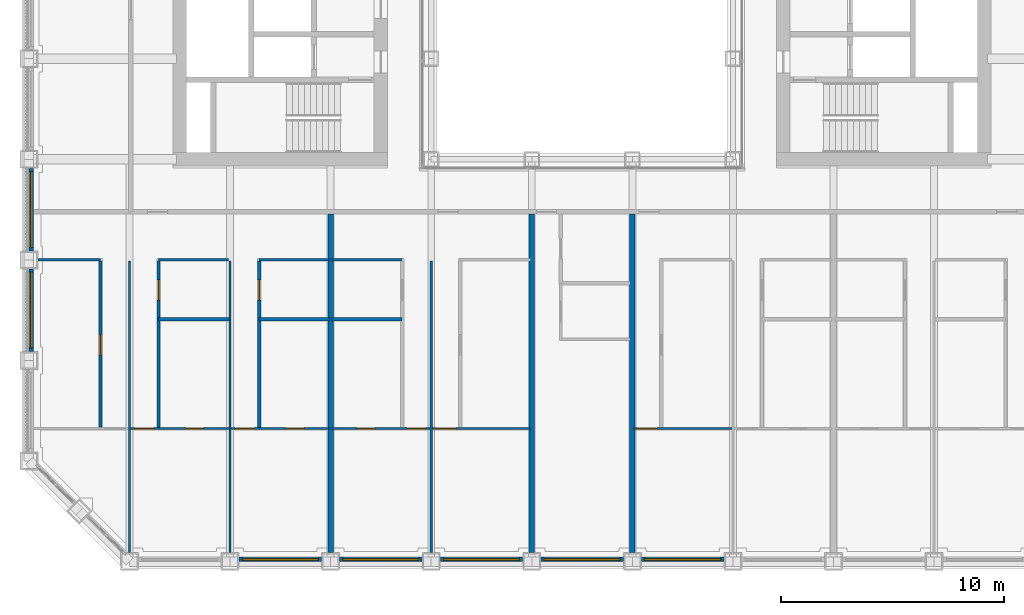
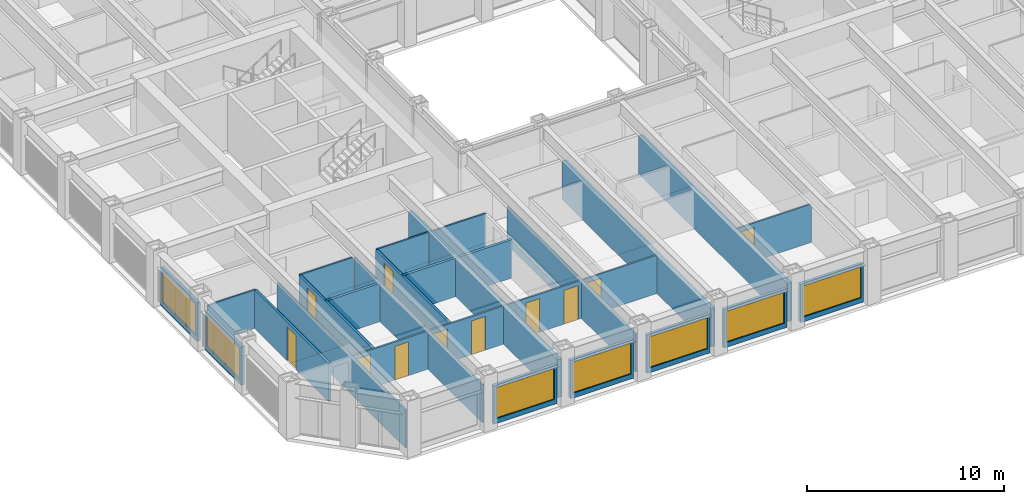
# One storey, part 9 of 20: 28 walls, 11 doors, 7 windows, 18 openings.
"""IFC4 building model written with IfcOpenShell, lengths in metres."""

from ifc_helpers import new_model, si_unit, direction, frame, frame_2d, origin, place, context, subcontext, project, spatial, rectangle, extrude, material, layer, layer_set, type_object, element, fill, save


model = new_model("IFC4")

# Units and contexts
model_context = context("Model", 3, precision=1e-05, world=origin(), true_north=direction((0.0, 1.0)))
body_context = subcontext(model_context, "Body", "Model", "MODEL_VIEW")
ifc_project = project(units=[si_unit("LENGTHUNIT", "METRE"), si_unit("AREAUNIT", "SQUARE_METRE"), si_unit("VOLUMEUNIT", "CUBIC_METRE"), si_unit("PLANEANGLEUNIT", "RADIAN"), si_unit("MASSUNIT", "GRAM", prefix="KILO")], contexts=[model_context])

# Site, building, storey
site_placement = place(None, origin())
site = spatial("IfcSite", under=ifc_project, at=site_placement, CompositionType="ELEMENT")
building_placement = place(site_placement, origin())
building = spatial("IfcBuilding", under=site, at=building_placement, Name="Msasa Ring Tower", CompositionType="ELEMENT")
storey_placement = place(building_placement, frame((0.0, 0.0, 58.0)))
storey = spatial("IfcBuildingStorey", under=building, at=storey_placement, Name="L14", CompositionType="ELEMENT", Elevation=58.0)

# Wall, opening, window
ifc_material_1 = material(Name="Terracotta rainscreen on blockwork", Category="masonry")
ifc_layer_1 = layer(ifc_material_1, 0.199951171875)
ifc_layer_set_1 = layer_set([ifc_layer_1], Name="FW1 TERRACOTTA-LINED INFILL BAY WALL 200")
wall_type_1 = type_object("IfcWallType", Name="FW1 TERRACOTTA-LINED INFILL BAY WALL 200", PredefinedType="SOLIDWALL", material=ifc_layer_set_1)
wall_1_placement = place(storey_placement, frame((-15.344970703125, -24.64990234375, 0.0), z_axis=(0.0, 0.0, 1.0), x_axis=(1.0, 0.0, 0.0)))
wall_1 = element("IfcWall", 1, at=wall_1_placement, inside=storey, type_object=wall_type_1, Name="Infill bay wall S L14 01", PredefinedType="SOLIDWALL", context=body_context, shape_type="SweptSolid", body=[
    extrude(rectangle(XDim=3.68994140625, YDim=0.199951171875, at=frame_2d((1.844970703125, 0.0))), origin(), (0.0, 0.0, 1.0), 2.37890625),
])
opening_1_placement = place(wall_1_placement, frame((0.14501953125, 0.0, 0.300048828125)))
opening_1 = element("IfcOpeningElement", 2, at=opening_1_placement, cuts=wall_1, Name="Opening WN1", PredefinedType="OPENING", context=body_context, shape_type="SweptSolid", body=[
    extrude(rectangle(XDim=3.39990234375, YDim=1.928955078125, at=frame_2d((1.699951171875, 0.96435546875))), frame((0.0, 0.10986328125, 0.0), z_axis=(0.0, -1.0, 0.0), x_axis=(1.0, 0.0, 0.0)), (0.0, 0.0, 1.0), 0.219970703125),
])
ifc_material_2 = material(Name="Aluminium frame with clear glass", Category="aluminium")
window_type = type_object("IfcWindowType", Name="WN1 RESIDENCE WINDOW 3400x1929", PartitioningType="SINGLE_PANEL", PredefinedType="WINDOW", material=ifc_material_2)
window_1_placement = place(opening_1_placement, origin())
window_1 = element("IfcWindow", 3, at=window_1_placement, inside=storey, type_object=window_type, Name="Window S L14 01", OverallHeight=1.928955078125, OverallWidth=3.39990234375, PartitioningType="SINGLE_PANEL", PredefinedType="WINDOW", context=body_context, shape_type="SweptSolid", body=[
    extrude(rectangle(XDim=3.39990234375, YDim=1.928955078125, at=frame_2d((1.699951171875, 0.96435546875))), frame((0.0, 0.030029296875, 0.0), z_axis=(0.0, -1.0, 0.0), x_axis=(1.0, 0.0, 0.0)), (0.0, 0.0, 1.0), 0.06005859375),
])
fill(opening_1, window_1)

wall_2_placement = place(storey_placement, frame((-10.844970703125, -24.64990234375, 0.0), z_axis=(0.0, 0.0, 1.0), x_axis=(1.0, 0.0, 0.0)))
wall_2 = element("IfcWall", 4, at=wall_2_placement, inside=storey, type_object=wall_type_1, Name="Infill bay wall S L14 02", PredefinedType="SOLIDWALL", context=body_context, shape_type="SweptSolid", body=[
    extrude(rectangle(XDim=3.68994140625, YDim=0.199951171875, at=frame_2d((1.844970703125, 0.0))), origin(), (0.0, 0.0, 1.0), 2.37890625),
])
opening_2_placement = place(wall_2_placement, frame((0.14501953125, 0.0, 0.300048828125)))
opening_2 = element("IfcOpeningElement", 5, at=opening_2_placement, cuts=wall_2, Name="Opening WN1", PredefinedType="OPENING", context=body_context, shape_type="SweptSolid", body=[
    extrude(rectangle(XDim=3.39990234375, YDim=1.928955078125, at=frame_2d((1.699951171875, 0.96435546875))), frame((0.0, 0.10986328125, 0.0), z_axis=(0.0, -1.0, 0.0), x_axis=(1.0, 0.0, 0.0)), (0.0, 0.0, 1.0), 0.219970703125),
])
window_2_placement = place(opening_2_placement, origin())
window_2 = element("IfcWindow", 6, at=window_2_placement, inside=storey, type_object=window_type, Name="Window S L14 02", OverallHeight=1.928955078125, OverallWidth=3.39990234375, PartitioningType="SINGLE_PANEL", PredefinedType="WINDOW", context=body_context, shape_type="SweptSolid", body=[
    extrude(rectangle(XDim=3.39990234375, YDim=1.928955078125, at=frame_2d((1.699951171875, 0.96435546875))), frame((0.0, 0.030029296875, 0.0), z_axis=(0.0, -1.0, 0.0), x_axis=(1.0, 0.0, 0.0)), (0.0, 0.0, 1.0), 0.06005859375),
])
fill(opening_2, window_2)

wall_3_placement = place(storey_placement, frame((-6.344970703125, -24.64990234375, 0.0), z_axis=(0.0, 0.0, 1.0), x_axis=(1.0, 0.0, 0.0)))
wall_3 = element("IfcWall", 7, at=wall_3_placement, inside=storey, type_object=wall_type_1, Name="Infill bay wall S L14 03", PredefinedType="SOLIDWALL", context=body_context, shape_type="SweptSolid", body=[
    extrude(rectangle(XDim=3.68994140625, YDim=0.199951171875, at=frame_2d((1.844970703125, 0.0))), origin(), (0.0, 0.0, 1.0), 2.37890625),
])
opening_3_placement = place(wall_3_placement, frame((0.14501953125, 0.0, 0.300048828125)))
opening_3 = element("IfcOpeningElement", 8, at=opening_3_placement, cuts=wall_3, Name="Opening WN1", PredefinedType="OPENING", context=body_context, shape_type="SweptSolid", body=[
    extrude(rectangle(XDim=3.39990234375, YDim=1.928955078125, at=frame_2d((1.699951171875, 0.96435546875))), frame((0.0, 0.10986328125, 0.0), z_axis=(0.0, -1.0, 0.0), x_axis=(1.0, 0.0, 0.0)), (0.0, 0.0, 1.0), 0.219970703125),
])
window_3_placement = place(opening_3_placement, origin())
window_3 = element("IfcWindow", 9, at=window_3_placement, inside=storey, type_object=window_type, Name="Window S L14 03", OverallHeight=1.928955078125, OverallWidth=3.39990234375, PartitioningType="SINGLE_PANEL", PredefinedType="WINDOW", context=body_context, shape_type="SweptSolid", body=[
    extrude(rectangle(XDim=3.39990234375, YDim=1.928955078125, at=frame_2d((1.699951171875, 0.96435546875))), frame((0.0, 0.030029296875, 0.0), z_axis=(0.0, -1.0, 0.0), x_axis=(1.0, 0.0, 0.0)), (0.0, 0.0, 1.0), 0.06005859375),
])
fill(opening_3, window_3)

wall_4_placement = place(storey_placement, frame((-1.844970703125, -24.64990234375, 0.0), z_axis=(0.0, 0.0, 1.0), x_axis=(1.0, 0.0, 0.0)))
wall_4 = element("IfcWall", 10, at=wall_4_placement, inside=storey, type_object=wall_type_1, Name="Infill bay wall S L14 04", PredefinedType="SOLIDWALL", context=body_context, shape_type="SweptSolid", body=[
    extrude(rectangle(XDim=3.68994140625, YDim=0.199951171875, at=frame_2d((1.844970703125, 0.0))), origin(), (0.0, 0.0, 1.0), 2.37890625),
])
opening_4_placement = place(wall_4_placement, frame((0.14501953125, 0.0, 0.300048828125)))
opening_4 = element("IfcOpeningElement", 11, at=opening_4_placement, cuts=wall_4, Name="Opening WN1", PredefinedType="OPENING", context=body_context, shape_type="SweptSolid", body=[
    extrude(rectangle(XDim=3.39990234375, YDim=1.928955078125, at=frame_2d((1.699951171875, 0.96435546875))), frame((0.0, 0.10986328125, 0.0), z_axis=(0.0, -1.0, 0.0), x_axis=(1.0, 0.0, 0.0)), (0.0, 0.0, 1.0), 0.219970703125),
])
window_4_placement = place(opening_4_placement, origin())
window_4 = element("IfcWindow", 12, at=window_4_placement, inside=storey, type_object=window_type, Name="Window S L14 04", OverallHeight=1.928955078125, OverallWidth=3.39990234375, PartitioningType="SINGLE_PANEL", PredefinedType="WINDOW", context=body_context, shape_type="SweptSolid", body=[
    extrude(rectangle(XDim=3.39990234375, YDim=1.928955078125, at=frame_2d((1.699951171875, 0.96435546875))), frame((0.0, 0.030029296875, 0.0), z_axis=(0.0, -1.0, 0.0), x_axis=(1.0, 0.0, 0.0)), (0.0, 0.0, 1.0), 0.06005859375),
])
fill(opening_4, window_4)

wall_5_placement = place(storey_placement, frame((2.655029296875, -24.64990234375, 0.0), z_axis=(0.0, 0.0, 1.0), x_axis=(1.0, 0.0, 0.0)))
wall_5 = element("IfcWall", 13, at=wall_5_placement, inside=storey, type_object=wall_type_1, Name="Infill bay wall S L14 05", PredefinedType="SOLIDWALL", context=body_context, shape_type="SweptSolid", body=[
    extrude(rectangle(XDim=3.68994140625, YDim=0.199951171875, at=frame_2d((1.844970703125, 0.0))), origin(), (0.0, 0.0, 1.0), 2.37890625),
])
opening_5_placement = place(wall_5_placement, frame((0.14501953125, 0.0, 0.300048828125)))
opening_5 = element("IfcOpeningElement", 14, at=opening_5_placement, cuts=wall_5, Name="Opening WN1", PredefinedType="OPENING", context=body_context, shape_type="SweptSolid", body=[
    extrude(rectangle(XDim=3.39990234375, YDim=1.928955078125, at=frame_2d((1.699951171875, 0.96435546875))), frame((0.0, 0.10986328125, 0.0), z_axis=(0.0, -1.0, 0.0), x_axis=(1.0, 0.0, 0.0)), (0.0, 0.0, 1.0), 0.219970703125),
])
window_5_placement = place(opening_5_placement, origin())
window_5 = element("IfcWindow", 15, at=window_5_placement, inside=storey, type_object=window_type, Name="Window S L14 05", OverallHeight=1.928955078125, OverallWidth=3.39990234375, PartitioningType="SINGLE_PANEL", PredefinedType="WINDOW", context=body_context, shape_type="SweptSolid", body=[
    extrude(rectangle(XDim=3.39990234375, YDim=1.928955078125, at=frame_2d((1.699951171875, 0.96435546875))), frame((0.0, 0.030029296875, 0.0), z_axis=(0.0, -1.0, 0.0), x_axis=(1.0, 0.0, 0.0)), (0.0, 0.0, 1.0), 0.06005859375),
])
fill(opening_5, window_5)

wall_6_placement = place(storey_placement, frame((-24.64990234375, -15.344970703125, 0.0), z_axis=(0.0, 0.0, 1.0), x_axis=(0.0, 1.0, 0.0)))
wall_6 = element("IfcWall", 16, at=wall_6_placement, inside=storey, type_object=wall_type_1, Name="Infill bay wall W L14 34", PredefinedType="SOLIDWALL", context=body_context, shape_type="SweptSolid", body=[
    extrude(rectangle(XDim=3.68994140625, YDim=0.199951171875, at=frame_2d((1.844970703125, 0.0))), origin(), (0.0, 0.0, 1.0), 2.37890625),
])
opening_6_placement = place(wall_6_placement, frame((0.14501953125, 0.0, 0.300048828125)))
opening_6 = element("IfcOpeningElement", 17, at=opening_6_placement, cuts=wall_6, Name="Opening WN1", PredefinedType="OPENING", context=body_context, shape_type="SweptSolid", body=[
    extrude(rectangle(XDim=3.39990234375, YDim=1.928955078125, at=frame_2d((1.699951171875, 0.96435546875))), frame((0.0, 0.10986328125, 0.0), z_axis=(0.0, -1.0, 0.0), x_axis=(1.0, 0.0, 0.0)), (0.0, 0.0, 1.0), 0.219970703125),
])
window_6_placement = place(opening_6_placement, origin())
window_6 = element("IfcWindow", 18, at=window_6_placement, inside=storey, type_object=window_type, Name="Window W L14 34", OverallHeight=1.928955078125, OverallWidth=3.39990234375, PartitioningType="SINGLE_PANEL", PredefinedType="WINDOW", context=body_context, shape_type="SweptSolid", body=[
    extrude(rectangle(XDim=3.39990234375, YDim=1.928955078125, at=frame_2d((1.699951171875, 0.96435546875))), frame((0.0, 0.030029296875, 0.0), z_axis=(0.0, -1.0, 0.0), x_axis=(1.0, 0.0, 0.0)), (0.0, 0.0, 1.0), 0.06005859375),
])
fill(opening_6, window_6)

wall_7_placement = place(storey_placement, frame((-24.64990234375, -10.844970703125, 0.0), z_axis=(0.0, 0.0, 1.0), x_axis=(0.0, 1.0, 0.0)))
wall_7 = element("IfcWall", 19, at=wall_7_placement, inside=storey, type_object=wall_type_1, Name="Infill bay wall W L14 35", PredefinedType="SOLIDWALL", context=body_context, shape_type="SweptSolid", body=[
    extrude(rectangle(XDim=3.68994140625, YDim=0.199951171875, at=frame_2d((1.844970703125, 0.0))), origin(), (0.0, 0.0, 1.0), 2.37890625),
])
opening_7_placement = place(wall_7_placement, frame((0.14501953125, 0.0, 0.300048828125)))
opening_7 = element("IfcOpeningElement", 20, at=opening_7_placement, cuts=wall_7, Name="Opening WN1", PredefinedType="OPENING", context=body_context, shape_type="SweptSolid", body=[
    extrude(rectangle(XDim=3.39990234375, YDim=1.928955078125, at=frame_2d((1.699951171875, 0.96435546875))), frame((0.0, 0.10986328125, 0.0), z_axis=(0.0, -1.0, 0.0), x_axis=(1.0, 0.0, 0.0)), (0.0, 0.0, 1.0), 0.219970703125),
])
window_7_placement = place(opening_7_placement, origin())
window_7 = element("IfcWindow", 21, at=window_7_placement, inside=storey, type_object=window_type, Name="Window W L14 35", OverallHeight=1.928955078125, OverallWidth=3.39990234375, PartitioningType="SINGLE_PANEL", PredefinedType="WINDOW", context=body_context, shape_type="SweptSolid", body=[
    extrude(rectangle(XDim=3.39990234375, YDim=1.928955078125, at=frame_2d((1.699951171875, 0.96435546875))), frame((0.0, 0.030029296875, 0.0), z_axis=(0.0, -1.0, 0.0), x_axis=(1.0, 0.0, 0.0)), (0.0, 0.0, 1.0), 0.06005859375),
])
fill(opening_7, window_7)

# Walls
ifc_material_3 = material(Name="Gypsum board on steel studs", Category="steel")
ifc_layer_2 = layer(ifc_material_3, 0.10009765625)
ifc_layer_set_2 = layer_set([ifc_layer_2], Name="PT2 STUD PARTITION 100")
wall_type_2 = type_object("IfcWallType", Name="PT2 STUD PARTITION 100", PredefinedType="PARTITIONING", material=ifc_layer_set_2)
wall_8_placement = place(storey_placement, frame((-24.35009765625, -11.25, 0.0), z_axis=(0.0, 0.0, 1.0), x_axis=(1.0, 0.0, 0.0)))
element("IfcWall", 22, at=wall_8_placement, inside=storey, type_object=wall_type_2, Name="Partition L14-US00HY0", PredefinedType="PARTITIONING", context=body_context, shape_type="SweptSolid", body=[
    extrude(rectangle(XDim=2.800048828125, YDim=0.10009765625, at=frame_2d((1.39990234375, 0.0))), origin(), (0.0, 0.0, 1.0), 2.373291015625),
])
wall_9_placement = place(storey_placement, frame((-20.25, -24.35009765625, 0.0), z_axis=(0.0, 0.0, 1.0), x_axis=(0.0, 1.0, 0.0)))
element("IfcWall", 23, at=wall_9_placement, inside=storey, type_object=wall_type_2, Name="Partition L14-US00P1", PredefinedType="PARTITIONING", context=body_context, shape_type="SweptSolid", body=[
    extrude(rectangle(XDim=13.050048828125, YDim=0.10009765625, at=frame_2d((6.52490234375, 0.0))), origin(), (0.0, 0.0, 1.0), 2.373291015625),
])
wall_10_placement = place(storey_placement, frame((-18.949951171875, -11.25, 0.0), z_axis=(0.0, 0.0, 1.0), x_axis=(1.0, 0.0, 0.0)))
element("IfcWall", 24, at=wall_10_placement, inside=storey, type_object=wall_type_2, Name="Partition L14-US00HY1", PredefinedType="PARTITIONING", context=body_context, shape_type="SweptSolid", body=[
    extrude(rectangle(XDim=3.139892578125, YDim=0.10009765625, at=frame_2d((1.56982421875, 0.0))), origin(), (0.0, 0.0, 1.0), 2.373291015625),
])

# Wall, openings, doors
wall_11_placement = place(storey_placement, frame((-20.199951171875, -18.800048828125, 0.0), z_axis=(0.0, 0.0, 1.0), x_axis=(1.0, 0.0, 0.0)))
wall_11 = element("IfcWall", 25, at=wall_11_placement, inside=storey, type_object=wall_type_2, Name="Partition L14-US00SY1", PredefinedType="PARTITIONING", context=body_context, shape_type="SweptSolid", body=[
    extrude(rectangle(XDim=4.39990234375, YDim=0.10009765625, at=frame_2d((2.199951171875, 0.0))), origin(), (0.0, 0.0, 1.0), 2.373291015625),
])
opening_8_placement = place(wall_11_placement, frame((0.175048828125, 0.0, 0.0)))
opening_8 = element("IfcOpeningElement", 26, at=opening_8_placement, cuts=wall_11, Name="Opening RD-065", PredefinedType="OPENING", context=body_context, shape_type="SweptSolid", body=[
    extrude(rectangle(XDim=0.85009765625, YDim=2.10009765625, at=frame_2d((0.425048828125, 1.050048828125))), frame((0.0, 0.06005859375, 0.0), z_axis=(0.0, -1.0, 0.0), x_axis=(1.0, 0.0, 0.0)), (0.0, 0.0, 1.0), 0.1201171875),
])
opening_9_placement = place(wall_11_placement, frame((2.4599609375, 0.0, 0.0)))
opening_9 = element("IfcOpeningElement", 27, at=opening_9_placement, cuts=wall_11, Name="Opening RD-066", PredefinedType="OPENING", context=body_context, shape_type="SweptSolid", body=[
    extrude(rectangle(XDim=0.800048828125, YDim=2.10009765625, at=frame_2d((0.39990234375, 1.050048828125))), frame((0.0, 0.06005859375, 0.0), z_axis=(0.0, -1.0, 0.0), x_axis=(1.0, 0.0, 0.0)), (0.0, 0.0, 1.0), 0.1201171875),
])
ifc_material_4 = material(Name="Timber door leaf in a steel frame", Category="steel")
door_type_1 = type_object("IfcDoorType", Name="D14 BEDROOM DOOR 850x2100", OperationType="SINGLE_SWING_LEFT", PredefinedType="DOOR", material=ifc_material_4)
door_1_placement = place(opening_8_placement, origin())
door_1 = element("IfcDoor", 28, at=door_1_placement, inside=storey, type_object=door_type_1, Name="Door L14-US00R1", OperationType="SINGLE_SWING_LEFT", OverallHeight=2.10009765625, OverallWidth=0.85009765625, PredefinedType="DOOR", context=body_context, shape_type="SweptSolid", body=[
    extrude(rectangle(XDim=0.85009765625, YDim=2.10009765625, at=frame_2d((0.425048828125, 1.050048828125))), frame((0.0, 0.02490234375, 0.0), z_axis=(0.0, -1.0, 0.0), x_axis=(1.0, 0.0, 0.0)), (0.0, 0.0, 1.0), 0.050048828125),
])
fill(opening_8, door_1)
ifc_material_5 = material(Name="Timber door leaf in a steel frame", Category="steel")
door_type_2 = type_object("IfcDoorType", Name="D60 DRESSING ROOM DOOR 800x2100", OperationType="SINGLE_SWING_LEFT", PredefinedType="DOOR", material=ifc_material_5)
door_2_placement = place(opening_9_placement, origin())
door_2 = element("IfcDoor", 29, at=door_2_placement, inside=storey, type_object=door_type_2, Name="Door L14-US00W1", OperationType="SINGLE_SWING_RIGHT", OverallHeight=2.10009765625, OverallWidth=0.800048828125, PredefinedType="DOOR", context=body_context, shape_type="SweptSolid", body=[
    extrude(rectangle(XDim=0.800048828125, YDim=2.10009765625, at=frame_2d((0.39990234375, 1.050048828125))), frame((0.0, 0.02490234375, 0.0), z_axis=(0.0, -1.0, 0.0), x_axis=(1.0, 0.0, 0.0)), (0.0, 0.0, 1.0), 0.050048828125),
])
fill(opening_9, door_2)

# Walls
wall_12_placement = place(storey_placement, frame((-15.75, -24.35009765625, 0.0), z_axis=(0.0, 0.0, 1.0), x_axis=(0.0, 1.0, 0.0)))
element("IfcWall", 30, at=wall_12_placement, inside=storey, type_object=wall_type_2, Name="Partition L14-US00P2", PredefinedType="PARTITIONING", context=body_context, shape_type="SweptSolid", body=[
    extrude(rectangle(XDim=13.050048828125, YDim=0.10009765625, at=frame_2d((6.52490234375, 0.0))), origin(), (0.0, 0.0, 1.0), 2.373291015625),
])
wall_13_placement = place(storey_placement, frame((-14.449951171875, -11.25, 0.0), z_axis=(0.0, 0.0, 1.0), x_axis=(1.0, 0.0, 0.0)))
element("IfcWall", 31, at=wall_13_placement, inside=storey, type_object=wall_type_2, Name="Partition L14-US00HY2", PredefinedType="PARTITIONING", context=body_context, shape_type="SweptSolid", body=[
    extrude(rectangle(XDim=3.139892578125, YDim=0.10009765625, at=frame_2d((1.56982421875, 0.0))), origin(), (0.0, 0.0, 1.0), 2.373291015625),
])

# Wall, openings, doors
wall_14_placement = place(storey_placement, frame((-15.699951171875, -18.800048828125, 0.0), z_axis=(0.0, 0.0, 1.0), x_axis=(1.0, 0.0, 0.0)))
wall_14 = element("IfcWall", 32, at=wall_14_placement, inside=storey, type_object=wall_type_2, Name="Partition L14-US00SY2", PredefinedType="PARTITIONING", context=body_context, shape_type="SweptSolid", body=[
    extrude(rectangle(XDim=4.389892578125, YDim=0.10009765625, at=frame_2d((2.19482421875, 0.0))), origin(), (0.0, 0.0, 1.0), 2.373291015625),
])
opening_10_placement = place(wall_14_placement, frame((0.175048828125, 0.0, 0.0)))
opening_10 = element("IfcOpeningElement", 33, at=opening_10_placement, cuts=wall_14, Name="Opening RD-067", PredefinedType="OPENING", context=body_context, shape_type="SweptSolid", body=[
    extrude(rectangle(XDim=0.85009765625, YDim=2.10009765625, at=frame_2d((0.425048828125, 1.050048828125))), frame((0.0, 0.06005859375, 0.0), z_axis=(0.0, -1.0, 0.0), x_axis=(1.0, 0.0, 0.0)), (0.0, 0.0, 1.0), 0.1201171875),
])
opening_11_placement = place(wall_14_placement, frame((2.4599609375, 0.0, 0.0)))
opening_11 = element("IfcOpeningElement", 34, at=opening_11_placement, cuts=wall_14, Name="Opening RD-068", PredefinedType="OPENING", context=body_context, shape_type="SweptSolid", body=[
    extrude(rectangle(XDim=0.800048828125, YDim=2.10009765625, at=frame_2d((0.39990234375, 1.050048828125))), frame((0.0, 0.06005859375, 0.0), z_axis=(0.0, -1.0, 0.0), x_axis=(1.0, 0.0, 0.0)), (0.0, 0.0, 1.0), 0.1201171875),
])
door_3_placement = place(opening_10_placement, origin())
door_3 = element("IfcDoor", 35, at=door_3_placement, inside=storey, type_object=door_type_1, Name="Door L14-US00R2", OperationType="SINGLE_SWING_LEFT", OverallHeight=2.10009765625, OverallWidth=0.85009765625, PredefinedType="DOOR", context=body_context, shape_type="SweptSolid", body=[
    extrude(rectangle(XDim=0.85009765625, YDim=2.10009765625, at=frame_2d((0.425048828125, 1.050048828125))), frame((0.0, 0.02490234375, 0.0), z_axis=(0.0, -1.0, 0.0), x_axis=(1.0, 0.0, 0.0)), (0.0, 0.0, 1.0), 0.050048828125),
])
fill(opening_10, door_3)
door_4_placement = place(opening_11_placement, origin())
door_4 = element("IfcDoor", 36, at=door_4_placement, inside=storey, type_object=door_type_2, Name="Door L14-US00W2", OperationType="SINGLE_SWING_RIGHT", OverallHeight=2.10009765625, OverallWidth=0.800048828125, PredefinedType="DOOR", context=body_context, shape_type="SweptSolid", body=[
    extrude(rectangle(XDim=0.800048828125, YDim=2.10009765625, at=frame_2d((0.39990234375, 1.050048828125))), frame((0.0, 0.02490234375, 0.0), z_axis=(0.0, -1.0, 0.0), x_axis=(1.0, 0.0, 0.0)), (0.0, 0.0, 1.0), 0.050048828125),
])
fill(opening_11, door_4)

# Wall, opening, door
wall_15_placement = place(storey_placement, frame((-6.699951171875, -18.800048828125, 0.0), z_axis=(0.0, 0.0, 1.0), x_axis=(1.0, 0.0, 0.0)))
wall_15 = element("IfcWall", 37, at=wall_15_placement, inside=storey, type_object=wall_type_2, Name="Partition L14-US01SY0", PredefinedType="PARTITIONING", context=body_context, shape_type="SweptSolid", body=[
    extrude(rectangle(XDim=4.389892578125, YDim=0.10009765625, at=frame_2d((2.19482421875, 0.0))), origin(), (0.0, 0.0, 1.0), 2.373291015625),
])
opening_12_placement = place(wall_15_placement, frame((0.14990234375, 0.0, 0.0)))
opening_12 = element("IfcOpeningElement", 38, at=opening_12_placement, cuts=wall_15, Name="Opening RD-071", PredefinedType="OPENING", context=body_context, shape_type="SweptSolid", body=[
    extrude(rectangle(XDim=0.89990234375, YDim=2.10009765625, at=frame_2d((0.449951171875, 1.050048828125))), frame((0.0, 0.06005859375, 0.0), z_axis=(0.0, -1.0, 0.0), x_axis=(1.0, 0.0, 0.0)), (0.0, 0.0, 1.0), 0.1201171875),
])
ifc_material_6 = material(Name="Timber door leaf in a steel frame", Category="steel")
door_type_3 = type_object("IfcDoorType", Name="D22 INTERNAL HALL DOOR 900x2100", OperationType="SINGLE_SWING_LEFT", PredefinedType="DOOR", material=ifc_material_6)
door_5_placement = place(opening_12_placement, origin())
door_5 = element("IfcDoor", 39, at=door_5_placement, inside=storey, type_object=door_type_3, Name="Door L14-US01L", OperationType="SINGLE_SWING_LEFT", OverallHeight=2.10009765625, OverallWidth=0.89990234375, PredefinedType="DOOR", context=body_context, shape_type="SweptSolid", body=[
    extrude(rectangle(XDim=0.89990234375, YDim=2.10009765625, at=frame_2d((0.449951171875, 1.050048828125))), frame((0.0, 0.02490234375, 0.0), z_axis=(0.0, -1.0, 0.0), x_axis=(1.0, 0.0, 0.0)), (0.0, 0.0, 1.0), 0.050048828125),
])
fill(opening_12, door_5)

# Walls
wall_16_placement = place(storey_placement, frame((-6.75, -24.35009765625, 0.0), z_axis=(0.0, 0.0, 1.0), x_axis=(0.0, 1.0, 0.0)))
element("IfcWall", 40, at=wall_16_placement, inside=storey, type_object=wall_type_2, Name="Partition L14-US01P1", PredefinedType="PARTITIONING", context=body_context, shape_type="SweptSolid", body=[
    extrude(rectangle(XDim=13.050048828125, YDim=0.10009765625, at=frame_2d((6.52490234375, 0.0))), origin(), (0.0, 0.0, 1.0), 2.373291015625),
])
wall_17_placement = place(storey_placement, frame((-11.18994140625, -11.25, 0.0), z_axis=(0.0, 0.0, 1.0), x_axis=(1.0, 0.0, 0.0)))
element("IfcWall", 41, at=wall_17_placement, inside=storey, type_object=wall_type_2, Name="Partition L14-US01HY1", PredefinedType="PARTITIONING", context=body_context, shape_type="SweptSolid", body=[
    extrude(rectangle(XDim=3.139892578125, YDim=0.10009765625, at=frame_2d((1.56982421875, 0.0))), origin(), (0.0, 0.0, 1.0), 2.373291015625),
])

# Wall, openings, doors
wall_18_placement = place(storey_placement, frame((-11.18994140625, -18.800048828125, 0.0), z_axis=(0.0, 0.0, 1.0), x_axis=(1.0, 0.0, 0.0)))
wall_18 = element("IfcWall", 42, at=wall_18_placement, inside=storey, type_object=wall_type_2, Name="Partition L14-US01SY1", PredefinedType="PARTITIONING", context=body_context, shape_type="SweptSolid", body=[
    extrude(rectangle(XDim=4.389892578125, YDim=0.10009765625, at=frame_2d((2.19482421875, 0.0))), origin(), (0.0, 0.0, 1.0), 2.373291015625),
])
opening_13_placement = place(wall_18_placement, frame((3.364990234375, 0.0, 0.0)))
opening_13 = element("IfcOpeningElement", 43, at=opening_13_placement, cuts=wall_18, Name="Opening RD-070", PredefinedType="OPENING", context=body_context, shape_type="SweptSolid", body=[
    extrude(rectangle(XDim=0.85009765625, YDim=2.10009765625, at=frame_2d((0.425048828125, 1.050048828125))), frame((0.0, 0.06005859375, 0.0), z_axis=(0.0, -1.0, 0.0), x_axis=(1.0, 0.0, 0.0)), (0.0, 0.0, 1.0), 0.1201171875),
])
opening_14_placement = place(wall_18_placement, frame((1.1298828125, 0.0, 0.0)))
opening_14 = element("IfcOpeningElement", 44, at=opening_14_placement, cuts=wall_18, Name="Opening RD-069", PredefinedType="OPENING", context=body_context, shape_type="SweptSolid", body=[
    extrude(rectangle(XDim=0.800048828125, YDim=2.10009765625, at=frame_2d((0.39990234375, 1.050048828125))), frame((0.0, 0.06005859375, 0.0), z_axis=(0.0, -1.0, 0.0), x_axis=(1.0, 0.0, 0.0)), (0.0, 0.0, 1.0), 0.1201171875),
])
door_6_placement = place(opening_13_placement, origin())
door_6 = element("IfcDoor", 45, at=door_6_placement, inside=storey, type_object=door_type_1, Name="Door L14-US01R1", OperationType="SINGLE_SWING_RIGHT", OverallHeight=2.10009765625, OverallWidth=0.85009765625, PredefinedType="DOOR", context=body_context, shape_type="SweptSolid", body=[
    extrude(rectangle(XDim=0.85009765625, YDim=2.10009765625, at=frame_2d((0.425048828125, 1.050048828125))), frame((0.0, 0.02490234375, 0.0), z_axis=(0.0, -1.0, 0.0), x_axis=(1.0, 0.0, 0.0)), (0.0, 0.0, 1.0), 0.050048828125),
])
fill(opening_13, door_6)
door_7_placement = place(opening_14_placement, origin())
door_7 = element("IfcDoor", 46, at=door_7_placement, inside=storey, type_object=door_type_2, Name="Door L14-US01W1", OperationType="SINGLE_SWING_LEFT", OverallHeight=2.10009765625, OverallWidth=0.800048828125, PredefinedType="DOOR", context=body_context, shape_type="SweptSolid", body=[
    extrude(rectangle(XDim=0.800048828125, YDim=2.10009765625, at=frame_2d((0.39990234375, 1.050048828125))), frame((0.0, 0.02490234375, 0.0), z_axis=(0.0, -1.0, 0.0), x_axis=(1.0, 0.0, 0.0)), (0.0, 0.0, 1.0), 0.050048828125),
])
fill(opening_14, door_7)

# Wall, opening, door
wall_19_placement = place(storey_placement, frame((2.31005859375, -18.800048828125, 0.0), z_axis=(0.0, 0.0, 1.0), x_axis=(1.0, 0.0, 0.0)))
wall_19 = element("IfcWall", 47, at=wall_19_placement, inside=storey, type_object=wall_type_2, Name="Partition L14-US03SY0", PredefinedType="PARTITIONING", context=body_context, shape_type="SweptSolid", body=[
    extrude(rectangle(XDim=4.389892578125, YDim=0.10009765625, at=frame_2d((2.19482421875, 0.0))), origin(), (0.0, 0.0, 1.0), 2.373291015625),
])
opening_15_placement = place(wall_19_placement, frame((0.139892578125, 0.0, 0.0)))
opening_15 = element("IfcOpeningElement", 48, at=opening_15_placement, cuts=wall_19, Name="Opening RD-072", PredefinedType="OPENING", context=body_context, shape_type="SweptSolid", body=[
    extrude(rectangle(XDim=0.89990234375, YDim=2.10009765625, at=frame_2d((0.449951171875, 1.050048828125))), frame((0.0, 0.06005859375, 0.0), z_axis=(0.0, -1.0, 0.0), x_axis=(1.0, 0.0, 0.0)), (0.0, 0.0, 1.0), 0.1201171875),
])
door_8_placement = place(opening_15_placement, origin())
door_8 = element("IfcDoor", 49, at=door_8_placement, inside=storey, type_object=door_type_3, Name="Door L14-US03L", OperationType="SINGLE_SWING_LEFT", OverallHeight=2.10009765625, OverallWidth=0.89990234375, PredefinedType="DOOR", context=body_context, shape_type="SweptSolid", body=[
    extrude(rectangle(XDim=0.89990234375, YDim=2.10009765625, at=frame_2d((0.449951171875, 1.050048828125))), frame((0.0, 0.02490234375, 0.0), z_axis=(0.0, -1.0, 0.0), x_axis=(1.0, 0.0, 0.0)), (0.0, 0.0, 1.0), 0.050048828125),
])
fill(opening_15, door_8)

# Walls
ifc_material_7 = material(Name="Dense concrete blockwork, plastered both faces", Category="masonry")
ifc_layer_3 = layer(ifc_material_7, 0.25)
ifc_layer_set_3 = layer_set([ifc_layer_3], Name="PT3 APARTMENT SEPARATING WALL 250")
wall_type_3 = type_object("IfcWallType", Name="PT3 APARTMENT SEPARATING WALL 250", PredefinedType="PARTITIONING", material=ifc_layer_set_3)
for number, where, z_axis, x_axis, name in (
    (50, (-11.25, -24.35009765625, 0.0), (0.0, 0.0, 1.0), (0.0, 1.0, 0.0), "Party wall L14-PWS-11.25"),
    (51, (-2.25, -24.35009765625, 0.0), (0.0, 0.0, 1.0), (0.0, 1.0, 0.0), "Party wall L14-PWS-2.25"),
    (52, (2.25, -24.35009765625, 0.0), (0.0, 0.0, 1.0), (0.0, 1.0, 0.0), "Party wall L14-PWS+2.25"),
):
    element("IfcWall", number, at=place(storey_placement, frame(where, z_axis=z_axis, x_axis=x_axis)), inside=storey, type_object=wall_type_3, Name=name, PredefinedType="PARTITIONING", context=body_context, shape_type="SweptSolid", body=[
        extrude(rectangle(XDim=15.150146484375, YDim=0.25, at=frame_2d((7.5751953125, 0.0))), origin(), (0.0, 0.0, 1.0), 2.373291015625),
    ])

# Wall, opening, door
ifc_material_8 = material(Name="Moisture-resistant board on steel studs with a concealed cistern and pipe void, tiled", Category="steel")
ifc_layer_4 = layer(ifc_material_8, 0.14990234375)
ifc_layer_set_4 = layer_set([ifc_layer_4], Name="PT4 BATHROOM WET WALL 150")
wall_type_4 = type_object("IfcWallType", Name="PT4 BATHROOM WET WALL 150", PredefinedType="PARTITIONING", material=ifc_layer_set_4)
wall_20_placement = place(storey_placement, frame((-21.550048828125, -18.800048828125, 0.0), z_axis=(0.0, 0.0, 1.0), x_axis=(0.0, 1.0, 0.0)))
wall_20 = element("IfcWall", 53, at=wall_20_placement, inside=storey, type_object=wall_type_4, Name="Partition L14-US00SX0", PredefinedType="PARTITIONING", context=body_context, shape_type="SweptSolid", body=[
    extrude(rectangle(XDim=7.5, YDim=0.14990234375, at=frame_2d((3.75, 0.0))), origin(), (0.0, 0.0, 1.0), 2.373291015625),
])
opening_16_placement = place(wall_20_placement, frame((3.300048828125, 0.0, 0.0)))
opening_16 = element("IfcOpeningElement", 54, at=opening_16_placement, cuts=wall_20, Name="Opening RD-060", PredefinedType="OPENING", context=body_context, shape_type="SweptSolid", body=[
    extrude(rectangle(XDim=0.89990234375, YDim=2.10009765625, at=frame_2d((0.449951171875, 1.050048828125))), frame((0.0, 0.0849609375, 0.0), z_axis=(0.0, -1.0, 0.0), x_axis=(1.0, 0.0, 0.0)), (0.0, 0.0, 1.0), 0.169921875),
])
door_9_placement = place(opening_16_placement, origin())
door_9 = element("IfcDoor", 55, at=door_9_placement, inside=storey, type_object=door_type_3, Name="Door L14-US00K", OperationType="SINGLE_SWING_LEFT", OverallHeight=2.10009765625, OverallWidth=0.89990234375, PredefinedType="DOOR", context=body_context, shape_type="SweptSolid", body=[
    extrude(rectangle(XDim=0.89990234375, YDim=2.10009765625, at=frame_2d((0.449951171875, 1.050048828125))), frame((0.0, 0.02490234375, 0.0), z_axis=(0.0, -1.0, 0.0), x_axis=(1.0, 0.0, 0.0)), (0.0, 0.0, 1.0), 0.050048828125),
])
fill(opening_16, door_9)

wall_21_placement = place(storey_placement, frame((-18.949951171875, -18.800048828125, 0.0), z_axis=(0.0, 0.0, 1.0), x_axis=(0.0, 1.0, 0.0)))
wall_21 = element("IfcWall", 56, at=wall_21_placement, inside=storey, type_object=wall_type_4, Name="Partition L14-US00SX1", PredefinedType="PARTITIONING", context=body_context, shape_type="SweptSolid", body=[
    extrude(rectangle(XDim=7.5, YDim=0.14990234375, at=frame_2d((3.75, 0.0))), origin(), (0.0, 0.0, 1.0), 2.373291015625),
])
opening_17_placement = place(wall_21_placement, frame((5.75, 0.0, 0.0)))
opening_17 = element("IfcOpeningElement", 57, at=opening_17_placement, cuts=wall_21, Name="Opening RD-053", PredefinedType="OPENING", context=body_context, shape_type="SweptSolid", body=[
    extrude(rectangle(XDim=0.89990234375, YDim=2.10009765625, at=frame_2d((0.449951171875, 1.050048828125))), frame((0.0, 0.0849609375, 0.0), z_axis=(0.0, -1.0, 0.0), x_axis=(1.0, 0.0, 0.0)), (0.0, 0.0, 1.0), 0.169921875),
])
ifc_material_9 = material(Name="Timber door leaf in a steel frame", Category="steel")
door_type_4 = type_object("IfcDoorType", Name="D3 BATHROOM DOOR 900x2100", OperationType="SINGLE_SWING_LEFT", PredefinedType="DOOR", material=ifc_material_9)
door_10_placement = place(opening_17_placement, origin())
door_10 = element("IfcDoor", 58, at=door_10_placement, inside=storey, type_object=door_type_4, Name="Door L14-US00B1", OperationType="SINGLE_SWING_RIGHT", OverallHeight=2.10009765625, OverallWidth=0.89990234375, PredefinedType="DOOR", context=body_context, shape_type="SweptSolid", body=[
    extrude(rectangle(XDim=0.89990234375, YDim=2.10009765625, at=frame_2d((0.449951171875, 1.050048828125))), frame((0.0, 0.02490234375, 0.0), z_axis=(0.0, -1.0, 0.0), x_axis=(1.0, 0.0, 0.0)), (0.0, 0.0, 1.0), 0.050048828125),
])
fill(opening_17, door_10)

# Wall
wall_22_placement = place(storey_placement, frame((-18.949951171875, -13.89990234375, 0.0), z_axis=(0.0, 0.0, 1.0), x_axis=(1.0, 0.0, 0.0)))
element("IfcWall", 59, at=wall_22_placement, inside=storey, type_object=wall_type_4, Name="Partition L14-US00SB1", PredefinedType="PARTITIONING", context=body_context, shape_type="SweptSolid", body=[
    extrude(rectangle(XDim=3.14990234375, YDim=0.14990234375, at=frame_2d((1.574951171875, 0.0))), origin(), (0.0, 0.0, 1.0), 2.373291015625),
])

# Wall, opening, door
wall_23_placement = place(storey_placement, frame((-14.449951171875, -18.800048828125, 0.0), z_axis=(0.0, 0.0, 1.0), x_axis=(0.0, 1.0, 0.0)))
wall_23 = element("IfcWall", 60, at=wall_23_placement, inside=storey, type_object=wall_type_4, Name="Partition L14-US00SX2", PredefinedType="PARTITIONING", context=body_context, shape_type="SweptSolid", body=[
    extrude(rectangle(XDim=7.5, YDim=0.14990234375, at=frame_2d((3.75, 0.0))), origin(), (0.0, 0.0, 1.0), 2.373291015625),
])
opening_18_placement = place(wall_23_placement, frame((5.75, 0.0, 0.0)))
opening_18 = element("IfcOpeningElement", 61, at=opening_18_placement, cuts=wall_23, Name="Opening RD-054", PredefinedType="OPENING", context=body_context, shape_type="SweptSolid", body=[
    extrude(rectangle(XDim=0.89990234375, YDim=2.10009765625, at=frame_2d((0.449951171875, 1.050048828125))), frame((0.0, 0.0849609375, 0.0), z_axis=(0.0, -1.0, 0.0), x_axis=(1.0, 0.0, 0.0)), (0.0, 0.0, 1.0), 0.169921875),
])
door_11_placement = place(opening_18_placement, origin())
door_11 = element("IfcDoor", 62, at=door_11_placement, inside=storey, type_object=door_type_4, Name="Door L14-US00B2", OperationType="SINGLE_SWING_RIGHT", OverallHeight=2.10009765625, OverallWidth=0.89990234375, PredefinedType="DOOR", context=body_context, shape_type="SweptSolid", body=[
    extrude(rectangle(XDim=0.89990234375, YDim=2.10009765625, at=frame_2d((0.449951171875, 1.050048828125))), frame((0.0, 0.02490234375, 0.0), z_axis=(0.0, -1.0, 0.0), x_axis=(1.0, 0.0, 0.0)), (0.0, 0.0, 1.0), 0.050048828125),
])
fill(opening_18, door_11)

# Walls
for number, where, z_axis, x_axis, name in (
    (63, (-14.449951171875, -13.89990234375, 0.0), (0.0, 0.0, 1.0), (1.0, 0.0, 0.0), "Partition L14-US00SB2"),
    (64, (-11.18994140625, -13.89990234375, 0.0), (0.0, 0.0, 1.0), (1.0, 0.0, 0.0), "Partition L14-US01SB1"),
):
    element("IfcWall", number, at=place(storey_placement, frame(where, z_axis=z_axis, x_axis=x_axis)), inside=storey, type_object=wall_type_4, Name=name, PredefinedType="PARTITIONING", context=body_context, shape_type="SweptSolid", body=[
        extrude(rectangle(XDim=3.139892578125, YDim=0.14990234375, at=frame_2d((1.56982421875, 0.0))), origin(), (0.0, 0.0, 1.0), 2.373291015625),
    ])

save(model, "model.ifc")
